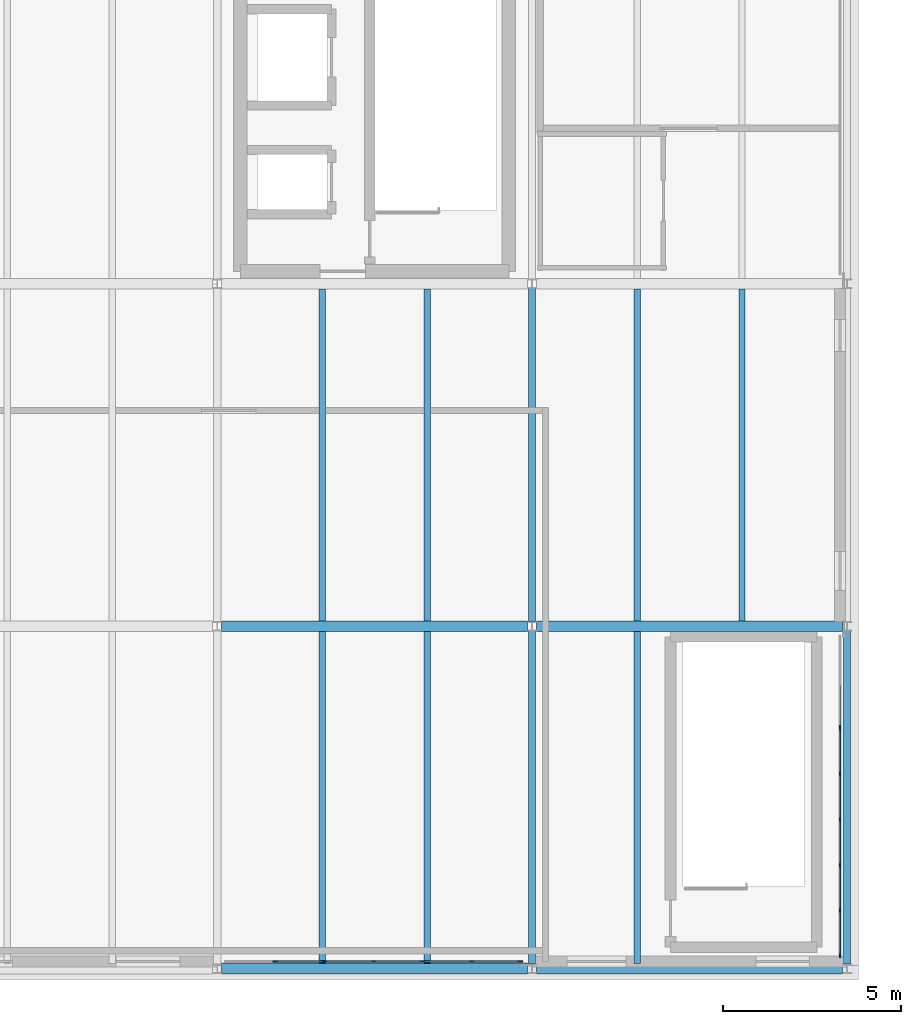
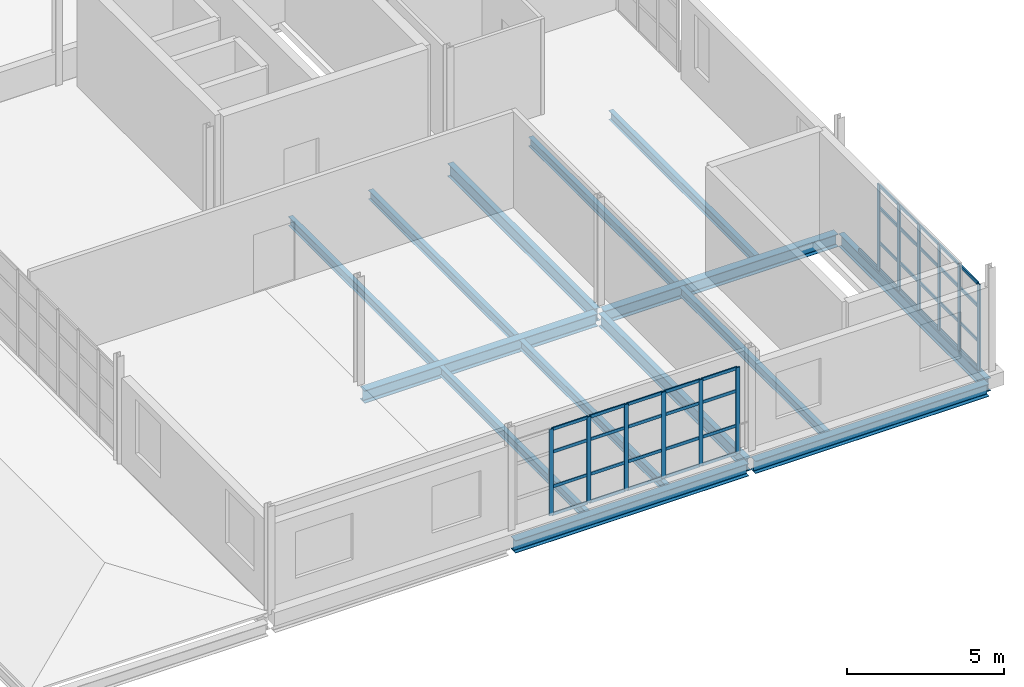
# One storey, part 13 of 28: 53 members, 14 beams, 2 elements without a shape of their own.
"""IFC4 building model written with IfcOpenShell, lengths in metres."""

from ifc_helpers import new_model, si_unit, direction, frame, origin, origin_2d, place, context, subcontext, project, spatial, rectangle, i_section, extrude, material, layer, layer_set, material_profile, profile_set, type_object, element, aggregate, save


model = new_model("IFC4")

# Units and contexts
model_context = context("Model", 3, precision=1e-05, world=origin(), true_north=direction((0.0, 1.0)))
body_context = subcontext(model_context, "Body", "Model", "MODEL_VIEW")
ifc_project = project(units=[si_unit("LENGTHUNIT", "METRE"), si_unit("AREAUNIT", "SQUARE_METRE"), si_unit("VOLUMEUNIT", "CUBIC_METRE"), si_unit("PLANEANGLEUNIT", "RADIAN"), si_unit("MASSUNIT", "GRAM", prefix="KILO")], contexts=[model_context])

# Site, building, storey
site_placement = place(None, origin())
site = spatial("IfcSite", under=ifc_project, at=site_placement, CompositionType="ELEMENT")
building_placement = place(site_placement, origin())
building = spatial("IfcBuilding", under=site, at=building_placement, Name="Yeouljin Market Hall", CompositionType="ELEMENT")
storey_placement = place(building_placement, frame((0.0, 0.0, 15.0)))
storey = spatial("IfcBuildingStorey", under=building, at=storey_placement, Name="L03", CompositionType="ELEMENT", Elevation=15.0)

# Beams
ifc_material_1 = material(Name="Steel SM355", Category="steel")
ifc_material_profile_1 = material_profile(ifc_material_1, i_section(OverallWidth=0.199951171875, OverallDepth=0.5, WebThickness=0.010009765625, FlangeThickness=0.01611328125, FilletRadius=0.02001953125, at=origin_2d()), Name="H-500x200x10x16")
ifc_profile_set_1 = profile_set([ifc_material_profile_1], Name="Steel SM355")
beam_type_1 = type_object("IfcBeamType", Name="Beam_H-500x200x10x16", PredefinedType="BEAM", material=ifc_profile_set_1)
beam_1_placement = place(storey_placement, frame((167.570068359375, 0.125, -0.514892578125), z_axis=(0.0, 1.0, 0.0), x_axis=(-1.0, 0.0, 0.0)))
element("IfcBeam", 1, at=beam_1_placement, inside=storey, type_object=beam_type_1, Name="Primary beam BM-L03-Y082", PredefinedType="BEAM", context=body_context, shape_type="SweptSolid", body=[
    extrude(i_section(OverallWidth=0.199951171875, OverallDepth=0.5, WebThickness=0.010009765625, FlangeThickness=0.01611328125, FilletRadius=0.02001953125, at=origin_2d()), origin(), (0.0, 0.0, 1.0), 9.35009765625),
])
beam_2_placement = place(storey_placement, frame((167.570068359375, 9.72509765625, -0.514892578125), z_axis=(0.0, 1.0, 0.0), x_axis=(-1.0, 0.0, 0.0)))
element("IfcBeam", 2, at=beam_2_placement, inside=storey, type_object=beam_type_1, Name="Primary beam BM-L03-Y083", PredefinedType="BEAM", context=body_context, shape_type="SweptSolid", body=[
    extrude(i_section(OverallWidth=0.199951171875, OverallDepth=0.5, WebThickness=0.010009765625, FlangeThickness=0.01611328125, FilletRadius=0.02001953125, at=origin_2d()), origin(), (0.0, 0.0, 1.0), 9.349853515625),
])
beam_3_placement = place(storey_placement, frame((176.39990234375, 0.125, -0.514892578125), z_axis=(0.0, 1.0, 0.0), x_axis=(-1.0, 0.0, 0.0)))
element("IfcBeam", 3, at=beam_3_placement, inside=storey, type_object=beam_type_1, Name="Primary beam BM-L03-Y086", PredefinedType="BEAM", context=body_context, shape_type="SweptSolid", body=[
    extrude(i_section(OverallWidth=0.199951171875, OverallDepth=0.5, WebThickness=0.010009765625, FlangeThickness=0.01611328125, FilletRadius=0.02001953125, at=origin_2d()), origin(), (0.0, 0.0, 1.0), 9.35009765625),
])

# Curtain wall, members
ifc_material_2 = material(Name="Thermally Broken Aluminium", Category="aluminium")
ifc_layer = layer(ifc_material_2, 0.14990234375)
ifc_layer_set = layer_set([ifc_layer], Name="Thermally Broken Aluminium")
curtain_wall_type = type_object("IfcCurtainWallType", Name="CW_AcademyRibbon_System", PredefinedType="USERDEFINED", material=ifc_layer_set)
curtain_wall_1_placement = place(storey_placement, origin())
curtain_wall_1 = element("IfcCurtainWall", 4, at=curtain_wall_1_placement, inside=storey, type_object=curtain_wall_type, Name="Curtain wall CW-L03-W11", ObjectType="CURTAIN WALL", PredefinedType="USERDEFINED")
ifc_material_3 = material(Name="Thermally Broken Aluminium", Category="aluminium")
ifc_material_profile_2 = material_profile(ifc_material_3, rectangle(XDim=0.048095703125, YDim=0.14990234375, at=origin_2d()), Name="CW-MULL-48x150")
ifc_profile_set_2 = profile_set([ifc_material_profile_2], Name="Thermally Broken Aluminium")
member_type_1 = type_object("IfcMemberType", Name="CWMullion_48x150", PredefinedType="MULLION", material=ifc_profile_set_2)
member_1_placement = place(storey_placement, frame((167.22607421875, 0.199951171875, 0.0), z_axis=(0.0, 0.0, 1.0), x_axis=(0.0, -1.0, 0.0)))
member_1 = element("IfcMember", 5, at=member_1_placement, type_object=member_type_1, Name="CW-05 mullion 1", PredefinedType="MULLION", context=body_context, shape_type="SweptSolid", body=[
    extrude(rectangle(XDim=0.048095703125, YDim=0.14990234375, at=origin_2d()), origin(), (0.0, 0.0, 1.0), 3.35009765625),
])
member_2_placement = place(storey_placement, frame((165.875, 0.199951171875, 0.0), z_axis=(0.0, 0.0, 1.0), x_axis=(0.0, -1.0, 0.0)))
member_2 = element("IfcMember", 6, at=member_2_placement, type_object=member_type_1, Name="CW-05 mullion 2", PredefinedType="MULLION", context=body_context, shape_type="SweptSolid", body=[
    extrude(rectangle(XDim=0.048095703125, YDim=0.14990234375, at=origin_2d()), origin(), (0.0, 0.0, 1.0), 3.35009765625),
])
member_3_placement = place(storey_placement, frame((164.5, 0.199951171875, 0.0), z_axis=(0.0, 0.0, 1.0), x_axis=(0.0, -1.0, 0.0)))
member_3 = element("IfcMember", 7, at=member_3_placement, type_object=member_type_1, Name="CW-05 mullion 3", PredefinedType="MULLION", context=body_context, shape_type="SweptSolid", body=[
    extrude(rectangle(XDim=0.048095703125, YDim=0.14990234375, at=origin_2d()), origin(), (0.0, 0.0, 1.0), 3.35009765625),
])
member_4_placement = place(storey_placement, frame((163.125, 0.199951171875, 0.0), z_axis=(0.0, 0.0, 1.0), x_axis=(0.0, -1.0, 0.0)))
member_4 = element("IfcMember", 8, at=member_4_placement, type_object=member_type_1, Name="CW-05 mullion 4", PredefinedType="MULLION", context=body_context, shape_type="SweptSolid", body=[
    extrude(rectangle(XDim=0.048095703125, YDim=0.14990234375, at=origin_2d()), origin(), (0.0, 0.0, 1.0), 3.35009765625),
])
member_5_placement = place(storey_placement, frame((161.75, 0.199951171875, 0.0), z_axis=(0.0, 0.0, 1.0), x_axis=(0.0, -1.0, 0.0)))
member_5 = element("IfcMember", 9, at=member_5_placement, type_object=member_type_1, Name="CW-05 mullion 5", PredefinedType="MULLION", context=body_context, shape_type="SweptSolid", body=[
    extrude(rectangle(XDim=0.048095703125, YDim=0.14990234375, at=origin_2d()), origin(), (0.0, 0.0, 1.0), 3.35009765625),
])
member_6_placement = place(storey_placement, frame((160.375, 0.199951171875, 0.0), z_axis=(0.0, 0.0, 1.0), x_axis=(0.0, -1.0, 0.0)))
member_6 = element("IfcMember", 10, at=member_6_placement, type_object=member_type_1, Name="CW-05 mullion 6", PredefinedType="MULLION", context=body_context, shape_type="SweptSolid", body=[
    extrude(rectangle(XDim=0.048095703125, YDim=0.14990234375, at=origin_2d()), origin(), (0.0, 0.0, 1.0), 3.35009765625),
])

curtain_wall_2_placement = place(storey_placement, origin())
curtain_wall_2 = element("IfcCurtainWall", 11, at=curtain_wall_2_placement, inside=storey, type_object=curtain_wall_type, Name="Curtain wall CW-L03-W15", ObjectType="CURTAIN WALL", PredefinedType="USERDEFINED")
member_7_placement = place(storey_placement, frame((176.199951171875, 6.742919921875, 0.0), z_axis=(0.0, 0.0, 1.0), x_axis=(1.0, 0.0, 0.0)))
member_7 = element("IfcMember", 12, at=member_7_placement, type_object=member_type_1, Name="CW-05 mullion 3", PredefinedType="MULLION", context=body_context, shape_type="SweptSolid", body=[
    extrude(rectangle(XDim=0.048095703125, YDim=0.14990234375, at=origin_2d()), origin(), (0.0, 0.0, 1.0), 3.35009765625),
])
member_8_placement = place(storey_placement, frame((176.199951171875, 5.46435546875, 0.0), z_axis=(0.0, 0.0, 1.0), x_axis=(1.0, 0.0, 0.0)))
member_8 = element("IfcMember", 13, at=member_8_placement, type_object=member_type_1, Name="CW-05 mullion 4", PredefinedType="MULLION", context=body_context, shape_type="SweptSolid", body=[
    extrude(rectangle(XDim=0.048095703125, YDim=0.14990234375, at=origin_2d()), origin(), (0.0, 0.0, 1.0), 3.35009765625),
])
member_9_placement = place(storey_placement, frame((176.199951171875, 4.185791015625, 0.0), z_axis=(0.0, 0.0, 1.0), x_axis=(1.0, 0.0, 0.0)))
member_9 = element("IfcMember", 14, at=member_9_placement, type_object=member_type_1, Name="CW-05 mullion 5", PredefinedType="MULLION", context=body_context, shape_type="SweptSolid", body=[
    extrude(rectangle(XDim=0.048095703125, YDim=0.14990234375, at=origin_2d()), origin(), (0.0, 0.0, 1.0), 3.35009765625),
])
member_10_placement = place(storey_placement, frame((176.199951171875, 2.9072265625, 0.0), z_axis=(0.0, 0.0, 1.0), x_axis=(1.0, 0.0, 0.0)))
member_10 = element("IfcMember", 15, at=member_10_placement, type_object=member_type_1, Name="CW-05 mullion 6", PredefinedType="MULLION", context=body_context, shape_type="SweptSolid", body=[
    extrude(rectangle(XDim=0.048095703125, YDim=0.14990234375, at=origin_2d()), origin(), (0.0, 0.0, 1.0), 3.35009765625),
])
member_11_placement = place(storey_placement, frame((176.199951171875, 1.628662109375, 0.0), z_axis=(0.0, 0.0, 1.0), x_axis=(1.0, 0.0, 0.0)))
member_11 = element("IfcMember", 16, at=member_11_placement, type_object=member_type_1, Name="CW-05 mullion 7", PredefinedType="MULLION", context=body_context, shape_type="SweptSolid", body=[
    extrude(rectangle(XDim=0.048095703125, YDim=0.14990234375, at=origin_2d()), origin(), (0.0, 0.0, 1.0), 3.35009765625),
])
member_12_placement = place(storey_placement, frame((176.199951171875, 0.3740234375, 0.0), z_axis=(0.0, 0.0, 1.0), x_axis=(1.0, 0.0, 0.0)))
member_12 = element("IfcMember", 17, at=member_12_placement, type_object=member_type_1, Name="CW-05 mullion 8", PredefinedType="MULLION", context=body_context, shape_type="SweptSolid", body=[
    extrude(rectangle(XDim=0.048095703125, YDim=0.14990234375, at=origin_2d()), origin(), (0.0, 0.0, 1.0), 3.35009765625),
])

# Member
ifc_material_4 = material(Name="Thermally Broken Aluminium", Category="aluminium")
ifc_material_profile_3 = material_profile(ifc_material_4, rectangle(XDim=0.048095703125, YDim=0.1201171875, at=origin_2d()), Name="CW-TRAN-48x120")
ifc_profile_set_3 = profile_set([ifc_material_profile_3], Name="Thermally Broken Aluminium")
member_type_2 = type_object("IfcMemberType", Name="CWTransom_48x120", PredefinedType="USERDEFINED", material=ifc_profile_set_3)
member_13_placement = place(storey_placement, frame((167.201904296875, 0.199951171875, 0.02392578125), z_axis=(-1.0, 0.0, 0.0), x_axis=(0.0, -1.0, 0.0)))
member_13 = element("IfcMember", 18, at=member_13_placement, type_object=member_type_2, Name="CW-05 transom 1.1", ObjectType="TRANSOM", PredefinedType="USERDEFINED", context=body_context, shape_type="SweptSolid", body=[
    extrude(rectangle(XDim=0.048095703125, YDim=0.1201171875, at=origin_2d()), origin(), (0.0, 0.0, 1.0), 1.302978515625),
])

member_14_placement = place(storey_placement, frame((167.201904296875, 0.199951171875, 1.10009765625), z_axis=(-1.0, 0.0, 0.0), x_axis=(0.0, -1.0, 0.0)))
member_14 = element("IfcMember", 19, at=member_14_placement, type_object=member_type_2, Name="CW-05 transom 1.2", ObjectType="TRANSOM", PredefinedType="USERDEFINED", context=body_context, shape_type="SweptSolid", body=[
    extrude(rectangle(XDim=0.048095703125, YDim=0.1201171875, at=origin_2d()), origin(), (0.0, 0.0, 1.0), 1.302978515625),
])

member_15_placement = place(storey_placement, frame((167.201904296875, 0.199951171875, 2.449951171875), z_axis=(-1.0, 0.0, 0.0), x_axis=(0.0, -1.0, 0.0)))
member_15 = element("IfcMember", 20, at=member_15_placement, type_object=member_type_2, Name="CW-05 transom 1.3", ObjectType="TRANSOM", PredefinedType="USERDEFINED", context=body_context, shape_type="SweptSolid", body=[
    extrude(rectangle(XDim=0.048095703125, YDim=0.1201171875, at=origin_2d()), origin(), (0.0, 0.0, 1.0), 1.302978515625),
])

member_16_placement = place(storey_placement, frame((167.201904296875, 0.199951171875, 3.325927734375), z_axis=(-1.0, 0.0, 0.0), x_axis=(0.0, -1.0, 0.0)))
member_16 = element("IfcMember", 21, at=member_16_placement, type_object=member_type_2, Name="CW-05 transom 1.4", ObjectType="TRANSOM", PredefinedType="USERDEFINED", context=body_context, shape_type="SweptSolid", body=[
    extrude(rectangle(XDim=0.048095703125, YDim=0.1201171875, at=origin_2d()), origin(), (0.0, 0.0, 1.0), 1.302978515625),
])

member_17_placement = place(storey_placement, frame((165.85107421875, 0.199951171875, 0.02392578125), z_axis=(-1.0, 0.0, 0.0), x_axis=(0.0, -1.0, 0.0)))
member_17 = element("IfcMember", 22, at=member_17_placement, type_object=member_type_2, Name="CW-05 transom 2.1", ObjectType="TRANSOM", PredefinedType="USERDEFINED", context=body_context, shape_type="SweptSolid", body=[
    extrude(rectangle(XDim=0.048095703125, YDim=0.1201171875, at=origin_2d()), origin(), (0.0, 0.0, 1.0), 1.3271484375),
])

member_18_placement = place(storey_placement, frame((165.85107421875, 0.199951171875, 1.10009765625), z_axis=(-1.0, 0.0, 0.0), x_axis=(0.0, -1.0, 0.0)))
member_18 = element("IfcMember", 23, at=member_18_placement, type_object=member_type_2, Name="CW-05 transom 2.2", ObjectType="TRANSOM", PredefinedType="USERDEFINED", context=body_context, shape_type="SweptSolid", body=[
    extrude(rectangle(XDim=0.048095703125, YDim=0.1201171875, at=origin_2d()), origin(), (0.0, 0.0, 1.0), 1.3271484375),
])

member_19_placement = place(storey_placement, frame((165.85107421875, 0.199951171875, 2.449951171875), z_axis=(-1.0, 0.0, 0.0), x_axis=(0.0, -1.0, 0.0)))
member_19 = element("IfcMember", 24, at=member_19_placement, type_object=member_type_2, Name="CW-05 transom 2.3", ObjectType="TRANSOM", PredefinedType="USERDEFINED", context=body_context, shape_type="SweptSolid", body=[
    extrude(rectangle(XDim=0.048095703125, YDim=0.1201171875, at=origin_2d()), origin(), (0.0, 0.0, 1.0), 1.3271484375),
])

member_20_placement = place(storey_placement, frame((165.85107421875, 0.199951171875, 3.325927734375), z_axis=(-1.0, 0.0, 0.0), x_axis=(0.0, -1.0, 0.0)))
member_20 = element("IfcMember", 25, at=member_20_placement, type_object=member_type_2, Name="CW-05 transom 2.4", ObjectType="TRANSOM", PredefinedType="USERDEFINED", context=body_context, shape_type="SweptSolid", body=[
    extrude(rectangle(XDim=0.048095703125, YDim=0.1201171875, at=origin_2d()), origin(), (0.0, 0.0, 1.0), 1.3271484375),
])

member_21_placement = place(storey_placement, frame((164.47607421875, 0.199951171875, 0.02392578125), z_axis=(-1.0, 0.0, 0.0), x_axis=(0.0, -1.0, 0.0)))
member_21 = element("IfcMember", 26, at=member_21_placement, type_object=member_type_2, Name="CW-05 transom 3.1", ObjectType="TRANSOM", PredefinedType="USERDEFINED", context=body_context, shape_type="SweptSolid", body=[
    extrude(rectangle(XDim=0.048095703125, YDim=0.1201171875, at=origin_2d()), origin(), (0.0, 0.0, 1.0), 1.3271484375),
])

member_22_placement = place(storey_placement, frame((164.47607421875, 0.199951171875, 1.10009765625), z_axis=(-1.0, 0.0, 0.0), x_axis=(0.0, -1.0, 0.0)))
member_22 = element("IfcMember", 27, at=member_22_placement, type_object=member_type_2, Name="CW-05 transom 3.2", ObjectType="TRANSOM", PredefinedType="USERDEFINED", context=body_context, shape_type="SweptSolid", body=[
    extrude(rectangle(XDim=0.048095703125, YDim=0.1201171875, at=origin_2d()), origin(), (0.0, 0.0, 1.0), 1.3271484375),
])

member_23_placement = place(storey_placement, frame((164.47607421875, 0.199951171875, 2.449951171875), z_axis=(-1.0, 0.0, 0.0), x_axis=(0.0, -1.0, 0.0)))
member_23 = element("IfcMember", 28, at=member_23_placement, type_object=member_type_2, Name="CW-05 transom 3.3", ObjectType="TRANSOM", PredefinedType="USERDEFINED", context=body_context, shape_type="SweptSolid", body=[
    extrude(rectangle(XDim=0.048095703125, YDim=0.1201171875, at=origin_2d()), origin(), (0.0, 0.0, 1.0), 1.3271484375),
])

member_24_placement = place(storey_placement, frame((164.47607421875, 0.199951171875, 3.325927734375), z_axis=(-1.0, 0.0, 0.0), x_axis=(0.0, -1.0, 0.0)))
member_24 = element("IfcMember", 29, at=member_24_placement, type_object=member_type_2, Name="CW-05 transom 3.4", ObjectType="TRANSOM", PredefinedType="USERDEFINED", context=body_context, shape_type="SweptSolid", body=[
    extrude(rectangle(XDim=0.048095703125, YDim=0.1201171875, at=origin_2d()), origin(), (0.0, 0.0, 1.0), 1.3271484375),
])

member_25_placement = place(storey_placement, frame((163.10107421875, 0.199951171875, 0.02392578125), z_axis=(-1.0, 0.0, 0.0), x_axis=(0.0, -1.0, 0.0)))
member_25 = element("IfcMember", 30, at=member_25_placement, type_object=member_type_2, Name="CW-05 transom 4.1", ObjectType="TRANSOM", PredefinedType="USERDEFINED", context=body_context, shape_type="SweptSolid", body=[
    extrude(rectangle(XDim=0.048095703125, YDim=0.1201171875, at=origin_2d()), origin(), (0.0, 0.0, 1.0), 1.3271484375),
])

member_26_placement = place(storey_placement, frame((163.10107421875, 0.199951171875, 1.10009765625), z_axis=(-1.0, 0.0, 0.0), x_axis=(0.0, -1.0, 0.0)))
member_26 = element("IfcMember", 31, at=member_26_placement, type_object=member_type_2, Name="CW-05 transom 4.2", ObjectType="TRANSOM", PredefinedType="USERDEFINED", context=body_context, shape_type="SweptSolid", body=[
    extrude(rectangle(XDim=0.048095703125, YDim=0.1201171875, at=origin_2d()), origin(), (0.0, 0.0, 1.0), 1.3271484375),
])

member_27_placement = place(storey_placement, frame((163.10107421875, 0.199951171875, 2.449951171875), z_axis=(-1.0, 0.0, 0.0), x_axis=(0.0, -1.0, 0.0)))
member_27 = element("IfcMember", 32, at=member_27_placement, type_object=member_type_2, Name="CW-05 transom 4.3", ObjectType="TRANSOM", PredefinedType="USERDEFINED", context=body_context, shape_type="SweptSolid", body=[
    extrude(rectangle(XDim=0.048095703125, YDim=0.1201171875, at=origin_2d()), origin(), (0.0, 0.0, 1.0), 1.3271484375),
])

member_28_placement = place(storey_placement, frame((163.10107421875, 0.199951171875, 3.325927734375), z_axis=(-1.0, 0.0, 0.0), x_axis=(0.0, -1.0, 0.0)))
member_28 = element("IfcMember", 33, at=member_28_placement, type_object=member_type_2, Name="CW-05 transom 4.4", ObjectType="TRANSOM", PredefinedType="USERDEFINED", context=body_context, shape_type="SweptSolid", body=[
    extrude(rectangle(XDim=0.048095703125, YDim=0.1201171875, at=origin_2d()), origin(), (0.0, 0.0, 1.0), 1.3271484375),
])

member_29_placement = place(storey_placement, frame((161.72607421875, 0.199951171875, 0.02392578125), z_axis=(-1.0, 0.0, 0.0), x_axis=(0.0, -1.0, 0.0)))
member_29 = element("IfcMember", 34, at=member_29_placement, type_object=member_type_2, Name="CW-05 transom 5.1", ObjectType="TRANSOM", PredefinedType="USERDEFINED", context=body_context, shape_type="SweptSolid", body=[
    extrude(rectangle(XDim=0.048095703125, YDim=0.1201171875, at=origin_2d()), origin(), (0.0, 0.0, 1.0), 1.3271484375),
])

member_30_placement = place(storey_placement, frame((161.72607421875, 0.199951171875, 1.10009765625), z_axis=(-1.0, 0.0, 0.0), x_axis=(0.0, -1.0, 0.0)))
member_30 = element("IfcMember", 35, at=member_30_placement, type_object=member_type_2, Name="CW-05 transom 5.2", ObjectType="TRANSOM", PredefinedType="USERDEFINED", context=body_context, shape_type="SweptSolid", body=[
    extrude(rectangle(XDim=0.048095703125, YDim=0.1201171875, at=origin_2d()), origin(), (0.0, 0.0, 1.0), 1.3271484375),
])

member_31_placement = place(storey_placement, frame((161.72607421875, 0.199951171875, 2.449951171875), z_axis=(-1.0, 0.0, 0.0), x_axis=(0.0, -1.0, 0.0)))
member_31 = element("IfcMember", 36, at=member_31_placement, type_object=member_type_2, Name="CW-05 transom 5.3", ObjectType="TRANSOM", PredefinedType="USERDEFINED", context=body_context, shape_type="SweptSolid", body=[
    extrude(rectangle(XDim=0.048095703125, YDim=0.1201171875, at=origin_2d()), origin(), (0.0, 0.0, 1.0), 1.3271484375),
])

member_32_placement = place(storey_placement, frame((161.72607421875, 0.199951171875, 3.325927734375), z_axis=(-1.0, 0.0, 0.0), x_axis=(0.0, -1.0, 0.0)))
member_32 = element("IfcMember", 37, at=member_32_placement, type_object=member_type_2, Name="CW-05 transom 5.4", ObjectType="TRANSOM", PredefinedType="USERDEFINED", context=body_context, shape_type="SweptSolid", body=[
    extrude(rectangle(XDim=0.048095703125, YDim=0.1201171875, at=origin_2d()), origin(), (0.0, 0.0, 1.0), 1.3271484375),
])

aggregate(curtain_wall_1, [member_1, member_2, member_3, member_4, member_5, member_6, member_13, member_14, member_15, member_16, member_17, member_18, member_19, member_20, member_21, member_22, member_23, member_24, member_25, member_26, member_27, member_28, member_29, member_30, member_31, member_32])

member_33_placement = place(storey_placement, frame((176.199951171875, 7.997314453125, 0.02392578125), z_axis=(0.0, -1.0, 0.0), x_axis=(1.0, 0.0, 0.0)))
member_33 = element("IfcMember", 38, at=member_33_placement, type_object=member_type_2, Name="CW-05 transom 2.1", ObjectType="TRANSOM", PredefinedType="USERDEFINED", context=body_context, shape_type="SweptSolid", body=[
    extrude(rectangle(XDim=0.048095703125, YDim=0.1201171875, at=origin_2d()), origin(), (0.0, 0.0, 1.0), 1.23046875),
])

member_34_placement = place(storey_placement, frame((176.199951171875, 6.71875, 0.02392578125), z_axis=(0.0, -1.0, 0.0), x_axis=(1.0, 0.0, 0.0)))
member_34 = element("IfcMember", 39, at=member_34_placement, type_object=member_type_2, Name="CW-05 transom 3.1", ObjectType="TRANSOM", PredefinedType="USERDEFINED", context=body_context, shape_type="SweptSolid", body=[
    extrude(rectangle(XDim=0.048095703125, YDim=0.1201171875, at=origin_2d()), origin(), (0.0, 0.0, 1.0), 1.23046875),
])

member_35_placement = place(storey_placement, frame((176.199951171875, 6.71875, 1.10009765625), z_axis=(0.0, -1.0, 0.0), x_axis=(1.0, 0.0, 0.0)))
member_35 = element("IfcMember", 40, at=member_35_placement, type_object=member_type_2, Name="CW-05 transom 3.2", ObjectType="TRANSOM", PredefinedType="USERDEFINED", context=body_context, shape_type="SweptSolid", body=[
    extrude(rectangle(XDim=0.048095703125, YDim=0.1201171875, at=origin_2d()), origin(), (0.0, 0.0, 1.0), 1.23046875),
])

member_36_placement = place(storey_placement, frame((176.199951171875, 6.71875, 2.449951171875), z_axis=(0.0, -1.0, 0.0), x_axis=(1.0, 0.0, 0.0)))
member_36 = element("IfcMember", 41, at=member_36_placement, type_object=member_type_2, Name="CW-05 transom 3.3", ObjectType="TRANSOM", PredefinedType="USERDEFINED", context=body_context, shape_type="SweptSolid", body=[
    extrude(rectangle(XDim=0.048095703125, YDim=0.1201171875, at=origin_2d()), origin(), (0.0, 0.0, 1.0), 1.23046875),
])

member_37_placement = place(storey_placement, frame((176.199951171875, 6.71875, 3.325927734375), z_axis=(0.0, -1.0, 0.0), x_axis=(1.0, 0.0, 0.0)))
member_37 = element("IfcMember", 42, at=member_37_placement, type_object=member_type_2, Name="CW-05 transom 3.4", ObjectType="TRANSOM", PredefinedType="USERDEFINED", context=body_context, shape_type="SweptSolid", body=[
    extrude(rectangle(XDim=0.048095703125, YDim=0.1201171875, at=origin_2d()), origin(), (0.0, 0.0, 1.0), 1.23046875),
])

member_38_placement = place(storey_placement, frame((176.199951171875, 5.440185546875, 0.02392578125), z_axis=(0.0, -1.0, 0.0), x_axis=(1.0, 0.0, 0.0)))
member_38 = element("IfcMember", 43, at=member_38_placement, type_object=member_type_2, Name="CW-05 transom 4.1", ObjectType="TRANSOM", PredefinedType="USERDEFINED", context=body_context, shape_type="SweptSolid", body=[
    extrude(rectangle(XDim=0.048095703125, YDim=0.1201171875, at=origin_2d()), origin(), (0.0, 0.0, 1.0), 1.23046875),
])

member_39_placement = place(storey_placement, frame((176.199951171875, 5.440185546875, 1.10009765625), z_axis=(0.0, -1.0, 0.0), x_axis=(1.0, 0.0, 0.0)))
member_39 = element("IfcMember", 44, at=member_39_placement, type_object=member_type_2, Name="CW-05 transom 4.2", ObjectType="TRANSOM", PredefinedType="USERDEFINED", context=body_context, shape_type="SweptSolid", body=[
    extrude(rectangle(XDim=0.048095703125, YDim=0.1201171875, at=origin_2d()), origin(), (0.0, 0.0, 1.0), 1.23046875),
])

member_40_placement = place(storey_placement, frame((176.199951171875, 5.440185546875, 2.449951171875), z_axis=(0.0, -1.0, 0.0), x_axis=(1.0, 0.0, 0.0)))
member_40 = element("IfcMember", 45, at=member_40_placement, type_object=member_type_2, Name="CW-05 transom 4.3", ObjectType="TRANSOM", PredefinedType="USERDEFINED", context=body_context, shape_type="SweptSolid", body=[
    extrude(rectangle(XDim=0.048095703125, YDim=0.1201171875, at=origin_2d()), origin(), (0.0, 0.0, 1.0), 1.23046875),
])

member_41_placement = place(storey_placement, frame((176.199951171875, 5.440185546875, 3.325927734375), z_axis=(0.0, -1.0, 0.0), x_axis=(1.0, 0.0, 0.0)))
member_41 = element("IfcMember", 46, at=member_41_placement, type_object=member_type_2, Name="CW-05 transom 4.4", ObjectType="TRANSOM", PredefinedType="USERDEFINED", context=body_context, shape_type="SweptSolid", body=[
    extrude(rectangle(XDim=0.048095703125, YDim=0.1201171875, at=origin_2d()), origin(), (0.0, 0.0, 1.0), 1.23046875),
])

member_42_placement = place(storey_placement, frame((176.199951171875, 4.16162109375, 0.02392578125), z_axis=(0.0, -1.0, 0.0), x_axis=(1.0, 0.0, 0.0)))
member_42 = element("IfcMember", 47, at=member_42_placement, type_object=member_type_2, Name="CW-05 transom 5.1", ObjectType="TRANSOM", PredefinedType="USERDEFINED", context=body_context, shape_type="SweptSolid", body=[
    extrude(rectangle(XDim=0.048095703125, YDim=0.1201171875, at=origin_2d()), origin(), (0.0, 0.0, 1.0), 1.23046875),
])

member_43_placement = place(storey_placement, frame((176.199951171875, 4.16162109375, 1.10009765625), z_axis=(0.0, -1.0, 0.0), x_axis=(1.0, 0.0, 0.0)))
member_43 = element("IfcMember", 48, at=member_43_placement, type_object=member_type_2, Name="CW-05 transom 5.2", ObjectType="TRANSOM", PredefinedType="USERDEFINED", context=body_context, shape_type="SweptSolid", body=[
    extrude(rectangle(XDim=0.048095703125, YDim=0.1201171875, at=origin_2d()), origin(), (0.0, 0.0, 1.0), 1.23046875),
])

member_44_placement = place(storey_placement, frame((176.199951171875, 4.16162109375, 2.449951171875), z_axis=(0.0, -1.0, 0.0), x_axis=(1.0, 0.0, 0.0)))
member_44 = element("IfcMember", 49, at=member_44_placement, type_object=member_type_2, Name="CW-05 transom 5.3", ObjectType="TRANSOM", PredefinedType="USERDEFINED", context=body_context, shape_type="SweptSolid", body=[
    extrude(rectangle(XDim=0.048095703125, YDim=0.1201171875, at=origin_2d()), origin(), (0.0, 0.0, 1.0), 1.23046875),
])

member_45_placement = place(storey_placement, frame((176.199951171875, 4.16162109375, 3.325927734375), z_axis=(0.0, -1.0, 0.0), x_axis=(1.0, 0.0, 0.0)))
member_45 = element("IfcMember", 50, at=member_45_placement, type_object=member_type_2, Name="CW-05 transom 5.4", ObjectType="TRANSOM", PredefinedType="USERDEFINED", context=body_context, shape_type="SweptSolid", body=[
    extrude(rectangle(XDim=0.048095703125, YDim=0.1201171875, at=origin_2d()), origin(), (0.0, 0.0, 1.0), 1.23046875),
])

member_46_placement = place(storey_placement, frame((176.199951171875, 2.883056640625, 0.02392578125), z_axis=(0.0, -1.0, 0.0), x_axis=(1.0, 0.0, 0.0)))
member_46 = element("IfcMember", 51, at=member_46_placement, type_object=member_type_2, Name="CW-05 transom 6.1", ObjectType="TRANSOM", PredefinedType="USERDEFINED", context=body_context, shape_type="SweptSolid", body=[
    extrude(rectangle(XDim=0.048095703125, YDim=0.1201171875, at=origin_2d()), origin(), (0.0, 0.0, 1.0), 1.23046875),
])

member_47_placement = place(storey_placement, frame((176.199951171875, 2.883056640625, 1.10009765625), z_axis=(0.0, -1.0, 0.0), x_axis=(1.0, 0.0, 0.0)))
member_47 = element("IfcMember", 52, at=member_47_placement, type_object=member_type_2, Name="CW-05 transom 6.2", ObjectType="TRANSOM", PredefinedType="USERDEFINED", context=body_context, shape_type="SweptSolid", body=[
    extrude(rectangle(XDim=0.048095703125, YDim=0.1201171875, at=origin_2d()), origin(), (0.0, 0.0, 1.0), 1.23046875),
])

member_48_placement = place(storey_placement, frame((176.199951171875, 2.883056640625, 2.449951171875), z_axis=(0.0, -1.0, 0.0), x_axis=(1.0, 0.0, 0.0)))
member_48 = element("IfcMember", 53, at=member_48_placement, type_object=member_type_2, Name="CW-05 transom 6.3", ObjectType="TRANSOM", PredefinedType="USERDEFINED", context=body_context, shape_type="SweptSolid", body=[
    extrude(rectangle(XDim=0.048095703125, YDim=0.1201171875, at=origin_2d()), origin(), (0.0, 0.0, 1.0), 1.23046875),
])

member_49_placement = place(storey_placement, frame((176.199951171875, 2.883056640625, 3.325927734375), z_axis=(0.0, -1.0, 0.0), x_axis=(1.0, 0.0, 0.0)))
member_49 = element("IfcMember", 54, at=member_49_placement, type_object=member_type_2, Name="CW-05 transom 6.4", ObjectType="TRANSOM", PredefinedType="USERDEFINED", context=body_context, shape_type="SweptSolid", body=[
    extrude(rectangle(XDim=0.048095703125, YDim=0.1201171875, at=origin_2d()), origin(), (0.0, 0.0, 1.0), 1.23046875),
])

member_50_placement = place(storey_placement, frame((176.199951171875, 1.6044921875, 0.02392578125), z_axis=(0.0, -1.0, 0.0), x_axis=(1.0, 0.0, 0.0)))
member_50 = element("IfcMember", 55, at=member_50_placement, type_object=member_type_2, Name="CW-05 transom 7.1", ObjectType="TRANSOM", PredefinedType="USERDEFINED", context=body_context, shape_type="SweptSolid", body=[
    extrude(rectangle(XDim=0.048095703125, YDim=0.1201171875, at=origin_2d()), origin(), (0.0, 0.0, 1.0), 1.20654296875),
])

member_51_placement = place(storey_placement, frame((176.199951171875, 1.6044921875, 1.10009765625), z_axis=(0.0, -1.0, 0.0), x_axis=(1.0, 0.0, 0.0)))
member_51 = element("IfcMember", 56, at=member_51_placement, type_object=member_type_2, Name="CW-05 transom 7.2", ObjectType="TRANSOM", PredefinedType="USERDEFINED", context=body_context, shape_type="SweptSolid", body=[
    extrude(rectangle(XDim=0.048095703125, YDim=0.1201171875, at=origin_2d()), origin(), (0.0, 0.0, 1.0), 1.20654296875),
])

member_52_placement = place(storey_placement, frame((176.199951171875, 1.6044921875, 2.449951171875), z_axis=(0.0, -1.0, 0.0), x_axis=(1.0, 0.0, 0.0)))
member_52 = element("IfcMember", 57, at=member_52_placement, type_object=member_type_2, Name="CW-05 transom 7.3", ObjectType="TRANSOM", PredefinedType="USERDEFINED", context=body_context, shape_type="SweptSolid", body=[
    extrude(rectangle(XDim=0.048095703125, YDim=0.1201171875, at=origin_2d()), origin(), (0.0, 0.0, 1.0), 1.20654296875),
])

member_53_placement = place(storey_placement, frame((176.199951171875, 1.6044921875, 3.325927734375), z_axis=(0.0, -1.0, 0.0), x_axis=(1.0, 0.0, 0.0)))
member_53 = element("IfcMember", 58, at=member_53_placement, type_object=member_type_2, Name="CW-05 transom 7.4", ObjectType="TRANSOM", PredefinedType="USERDEFINED", context=body_context, shape_type="SweptSolid", body=[
    extrude(rectangle(XDim=0.048095703125, YDim=0.1201171875, at=origin_2d()), origin(), (0.0, 0.0, 1.0), 1.20654296875),
])

aggregate(curtain_wall_2, [member_7, member_8, member_9, member_10, member_11, member_12, member_33, member_34, member_35, member_36, member_37, member_38, member_39, member_40, member_41, member_42, member_43, member_44, member_45, member_46, member_47, member_48, member_49, member_50, member_51, member_52, member_53])

# Beams
ifc_material_5 = material(Name="Steel SM355", Category="steel")
ifc_material_profile_4 = material_profile(ifc_material_5, i_section(OverallWidth=0.300048828125, OverallDepth=0.488037109375, WebThickness=0.010986328125, FlangeThickness=0.01806640625, FilletRadius=0.02197265625, at=origin_2d()), Name="H-488x300x11x18")
ifc_profile_set_4 = profile_set([ifc_material_profile_4], Name="Steel SM355")
beam_type_2 = type_object("IfcBeamType", Name="Girder_H-488x300x11x18", PredefinedType="USERDEFINED", material=ifc_profile_set_4)
beam_4_placement = place(storey_placement, frame((158.864990234375, 0.0, -0.509033203125), z_axis=(1.0, 0.0, 0.0), x_axis=(0.0, 1.0, 0.0)))
element("IfcBeam", 59, at=beam_4_placement, inside=storey, type_object=beam_type_2, Name="Primary girder GRD-L03-X005", ObjectType="GIRDER", PredefinedType="USERDEFINED", context=body_context, shape_type="SweptSolid", body=[
    extrude(i_section(OverallWidth=0.300048828125, OverallDepth=0.488037109375, WebThickness=0.010986328125, FlangeThickness=0.01806640625, FilletRadius=0.02197265625, at=origin_2d()), origin(), (0.0, 0.0, 1.0), 8.580078125),
])
beam_5_placement = place(storey_placement, frame((167.695068359375, 0.0, -0.509033203125), z_axis=(1.0, 0.0, 0.0), x_axis=(0.0, 1.0, 0.0)))
element("IfcBeam", 60, at=beam_5_placement, inside=storey, type_object=beam_type_2, Name="Primary girder GRD-L03-X006", ObjectType="GIRDER", PredefinedType="USERDEFINED", context=body_context, shape_type="SweptSolid", body=[
    extrude(i_section(OverallWidth=0.300048828125, OverallDepth=0.488037109375, WebThickness=0.010986328125, FlangeThickness=0.01806640625, FilletRadius=0.02197265625, at=origin_2d()), origin(), (0.0, 0.0, 1.0), 8.579833984375),
])
beam_6_placement = place(storey_placement, frame((158.864990234375, 9.60009765625, -0.509033203125), z_axis=(1.0, 0.0, 0.0), x_axis=(0.0, 1.0, 0.0)))
element("IfcBeam", 61, at=beam_6_placement, inside=storey, type_object=beam_type_2, Name="Primary girder GRD-L03-X011", ObjectType="GIRDER", PredefinedType="USERDEFINED", context=body_context, shape_type="SweptSolid", body=[
    extrude(i_section(OverallWidth=0.300048828125, OverallDepth=0.488037109375, WebThickness=0.010986328125, FlangeThickness=0.01806640625, FilletRadius=0.02197265625, at=origin_2d()), origin(), (0.0, 0.0, 1.0), 8.580078125),
])
beam_7_placement = place(storey_placement, frame((167.695068359375, 9.60009765625, -0.509033203125), z_axis=(1.0, 0.0, 0.0), x_axis=(0.0, 1.0, 0.0)))
element("IfcBeam", 62, at=beam_7_placement, inside=storey, type_object=beam_type_2, Name="Primary girder GRD-L03-X012", ObjectType="GIRDER", PredefinedType="USERDEFINED", context=body_context, shape_type="SweptSolid", body=[
    extrude(i_section(OverallWidth=0.300048828125, OverallDepth=0.488037109375, WebThickness=0.010986328125, FlangeThickness=0.01806640625, FilletRadius=0.02197265625, at=origin_2d()), origin(), (0.0, 0.0, 1.0), 8.579833984375),
])
ifc_material_6 = material(Name="Steel SM355", Category="steel")
ifc_material_profile_5 = material_profile(ifc_material_6, i_section(OverallWidth=0.175048828125, OverallDepth=0.35009765625, WebThickness=0.007080078125, FlangeThickness=0.010986328125, FilletRadius=0.013916015625, at=origin_2d()), Name="H-350x175x7x11")
ifc_profile_set_5 = profile_set([ifc_material_profile_5], Name="Steel SM355")
beam_type_3 = type_object("IfcBeamType", Name="Joist_H-350x175x7x11", PredefinedType="JOIST", material=ifc_profile_set_5)
for number, where, z_axis, x_axis, name in (
    (63, (161.683349609375, 0.14697265625, -0.43994140625), (0.0, 1.0, 0.0), (-1.0, 0.0, 0.0), "Secondary floor joist L03-046"),
    (64, (164.626708984375, 0.14697265625, -0.43994140625), (0.0, 1.0, 0.0), (-1.0, 0.0, 0.0), "Secondary floor joist L03-047"),
    (65, (161.683349609375, 9.7470703125, -0.43994140625), (0.0, 1.0, 0.0), (-1.0, 0.0, 0.0), "Secondary floor joist L03-048"),
    (66, (164.626708984375, 9.7470703125, -0.43994140625), (0.0, 1.0, 0.0), (-1.0, 0.0, 0.0), "Secondary floor joist L03-049"),
    (67, (170.51318359375, 0.14697265625, -0.43994140625), (0.0, 1.0, 0.0), (-1.0, 0.0, 0.0), "Secondary floor joist L03-052"),
    (68, (170.51318359375, 9.7470703125, -0.43994140625), (0.0, 1.0, 0.0), (-1.0, 0.0, 0.0), "Secondary floor joist L03-053"),
    (69, (173.456787109375, 9.7470703125, -0.43994140625), (0.0, 1.0, 0.0), (-1.0, 0.0, 0.0), "Secondary floor joist L03-054"),
):
    element("IfcBeam", number, at=place(storey_placement, frame(where, z_axis=z_axis, x_axis=x_axis)), inside=storey, type_object=beam_type_3, Name=name, PredefinedType="JOIST", context=body_context, shape_type="SweptSolid", body=[
        extrude(i_section(OverallWidth=0.175048828125, OverallDepth=0.35009765625, WebThickness=0.007080078125, FlangeThickness=0.010986328125, FilletRadius=0.013916015625, at=origin_2d()), origin(), (0.0, 0.0, 1.0), 9.305908203125),
    ])

save(model, "model.ifc")
